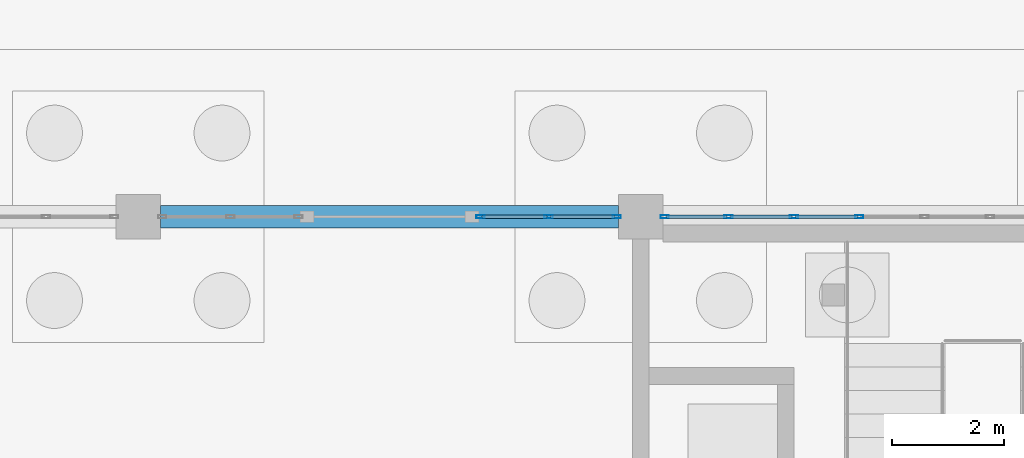
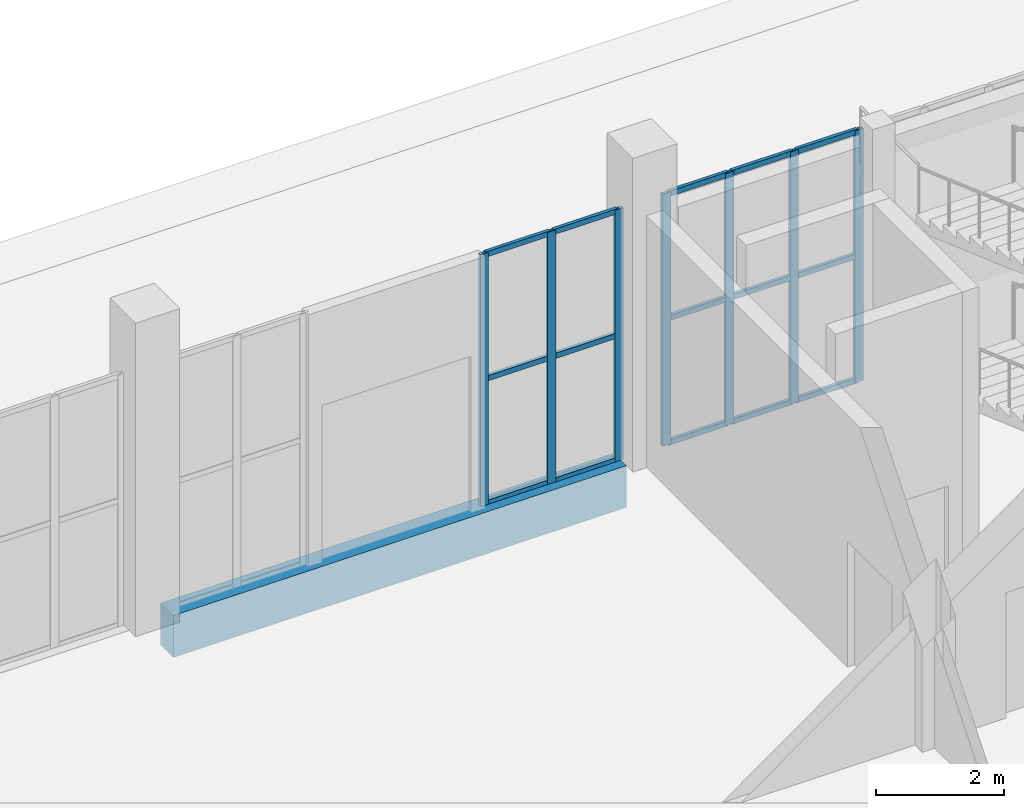
# One storey, part 43 of 198: 22 members, 1 beam, 2 elements without a shape of their own.
"""IFC4 building model written with IfcOpenShell, lengths in metres."""

import ifcopenshell
import ifcopenshell.guid

model = None  # the IFC model being written
_history = None  # IfcOwnerHistory: only IFC2X3 demands one
_inside = {}  # id of a spatial element -> (the spatial element, [elements in it])
_under = {}  # id of a project, library or spatial element -> (it, [spatial elements below it])
_declared = {}  # id of a project -> (the project, [libraries it declares])
_typed = {}  # id of a type object -> (the type object, [elements of that type])
_made_of = {}  # id of a material, layer set ... -> (it, [elements and type objects made of it])


def new_model(schema):
    """Start an empty IFC model of exactly this schema.

    Asked for "IFC4X3", IfcOpenShell would pick the latest addendum, in which some entities
    have other attributes; the version numbers below select the first issue.
    IFC2X3 requires an IfcOwnerHistory on every rooted entity: one is made here for all.
    """
    global model, _history
    if schema == "IFC4X3":
        model = ifcopenshell.file(schema_version=(4, 3, 0, 0))
    else:
        model = ifcopenshell.file(schema=schema)
    _inside.clear()
    _under.clear()
    _declared.clear()
    _typed.clear()
    _made_of.clear()
    _history = None
    if model.schema == "IFC2X3":
        org = make("IfcOrganization", Name="unknown")
        user = make(
            "IfcPersonAndOrganization",
            ThePerson=make("IfcPerson", FamilyName="unknown"),
            TheOrganization=org,
        )
        app = make(
            "IfcApplication",
            ApplicationDeveloper=org,
            Version="unknown",
            ApplicationFullName="unknown",
            ApplicationIdentifier="unknown",
        )
        _history = make(
            "IfcOwnerHistory",
            OwningUser=user,
            OwningApplication=app,
            ChangeAction="ADDED",
            CreationDate=0,
        )
    return model


def make(cls, **values):
    """One entity of the class cls with the attributes given. An attribute that is None is left unset."""
    return model.create_entity(
        cls, **{name: value for name, value in values.items() if value is not None}
    )


def rooted(cls, **values):
    """An entity with a GlobalId (a new one), such as an element, a storey or a relation."""
    return make(cls, GlobalId=ifcopenshell.guid.new(), OwnerHistory=_history, **values)


def si_unit(unit_type, name, prefix=None):
    """IfcSIUnit, for example si_unit("LENGTHUNIT", "METRE", prefix="MILLI")."""
    return make("IfcSIUnit", UnitType=unit_type, Prefix=prefix, Name=name)


def assignment(units):
    """IfcUnitAssignment: the units of a project."""
    return None if units is None else make("IfcUnitAssignment", Units=units)


def point(xyz):
    """IfcCartesianPoint."""
    return None if xyz is None else make("IfcCartesianPoint", Coordinates=xyz)


def direction(xyz):
    """IfcDirection."""
    return None if xyz is None else make("IfcDirection", DirectionRatios=xyz)


def frame(location, z_axis=None, x_axis=None):
    """IfcAxis2Placement3D, a coordinate frame: its origin and axes. An axis left out is left unset."""
    return make(
        "IfcAxis2Placement3D",
        Location=point(location),
        Axis=direction(z_axis),
        RefDirection=direction(x_axis),
    )


def frame_2d(location, x_axis=None):
    """IfcAxis2Placement2D, a coordinate frame in the plane: its origin and x axis."""
    return make(
        "IfcAxis2Placement2D", Location=point(location), RefDirection=direction(x_axis)
    )


def origin():
    """The frame at (0, 0, 0) with its axes left unset."""
    return frame((0.0, 0.0, 0.0))


def origin_2d():
    """The frame at (0, 0) in the plane with its x axis left unset."""
    return frame_2d((0.0, 0.0))


def place(relative_to, where):
    """IfcLocalPlacement: puts the frame where relative to a parent placement (None: the world)."""
    return make(
        "IfcLocalPlacement", PlacementRelTo=relative_to, RelativePlacement=where
    )


def context(
    kind, dimensions, precision=None, world=None, true_north=None, identifier=None
):
    """IfcGeometricRepresentationContext, for example the 3D "Model" context."""
    return make(
        "IfcGeometricRepresentationContext",
        ContextIdentifier=identifier,
        ContextType=kind,
        CoordinateSpaceDimension=dimensions,
        Precision=precision,
        WorldCoordinateSystem=world,
        TrueNorth=true_north,
    )


def subcontext(parent, identifier, kind, view, scale=None):
    """IfcGeometricRepresentationSubContext, for example "Body" below "Model"."""
    return make(
        "IfcGeometricRepresentationSubContext",
        ContextIdentifier=identifier,
        ContextType=kind,
        ParentContext=parent,
        TargetScale=scale,
        TargetView=view,
    )


def project(units=None, contexts=None):
    """IfcProject with its units and contexts."""
    return rooted(
        "IfcProject",
        Name="project",
        RepresentationContexts=contexts,
        UnitsInContext=assignment(units),
    )


def spatial(cls, under=None, at=None, **own):
    """A site, building, storey or space (cls), placed at a placement, below another one or the project."""
    s = rooted(cls, ObjectPlacement=at, **own)
    if under is not None:
        _under.setdefault(under.id(), (under, []))[1].append(s)
    return s


def profile(cls, at=None, kind="AREA", **sizes):
    """A parametric profile (cls). Its sizes go by their IFC names, for example OverallWidth=200.0."""
    return make(cls, ProfileType=kind, Position=at, **sizes)


def rectangle(**sizes):
    """IfcRectangleProfileDef."""
    return profile("IfcRectangleProfileDef", **sizes)


def hollow_rectangle(**sizes):
    """IfcRectangleHollowProfileDef."""
    return profile("IfcRectangleHollowProfileDef", **sizes)


def extrude(swept, where, along, depth):
    """IfcExtrudedAreaSolid: the profile swept, set in the frame where, extruded along a direction by depth."""
    return make(
        "IfcExtrudedAreaSolid",
        SweptArea=swept,
        Position=where,
        ExtrudedDirection=direction(along),
        Depth=depth,
    )


def shape(context_of_items, identifier, shape_type, items):
    """IfcShapeRepresentation: the items that make up one representation, for example the "Body"."""
    return make(
        "IfcShapeRepresentation",
        ContextOfItems=context_of_items,
        RepresentationIdentifier=identifier,
        RepresentationType=shape_type,
        Items=items,
    )


def material(Name=None, Category=None):
    """IfcMaterial."""
    return make("IfcMaterial", Name=Name, Category=Category)


def layer(
    of_material, thickness, ventilated=None, Name=None, Category=None, Priority=None
):
    """IfcMaterialLayer: one layer of a wall or slab, of a material (None: an air gap)."""
    return make(
        "IfcMaterialLayer",
        Material=of_material,
        LayerThickness=thickness,
        IsVentilated=ventilated,
        Name=Name,
        Category=Category,
        Priority=Priority,
    )


def layer_set(layers, Name=None):
    """IfcMaterialLayerSet."""
    return make("IfcMaterialLayerSet", MaterialLayers=layers, LayerSetName=Name)


def material_profile(
    of_material, cross_section, Name=None, Category=None, Priority=None
):
    """IfcMaterialProfile: a cross section and its material."""
    return make(
        "IfcMaterialProfile",
        Name=Name,
        Material=of_material,
        Profile=cross_section,
        Priority=Priority,
        Category=Category,
    )


def profile_set(profiles, Name=None, composite=None):
    """IfcMaterialProfileSet."""
    return make(
        "IfcMaterialProfileSet",
        Name=Name,
        MaterialProfiles=profiles,
        CompositeProfile=composite,
    )


def made_of(thing, what):
    """Note that an element or type object is made of a material, layer set ...; save() writes the relation."""
    if what is not None:
        _made_of.setdefault(what.id(), (what, []))[1].append(thing)
    return thing


def type_object(cls, material=None, **own):
    """A type object (cls), such as IfcWallType, which elements share."""
    return made_of(rooted(cls, **own), material)


def element(
    cls,
    number,
    at=None,
    inside=None,
    cuts=None,
    type_object=None,
    material=None,
    context=None,
    identifier="Body",
    shape_type=None,
    held_by="IfcProductDefinitionShape",
    body=None,
    shapes=None,
    **own,
):
    """One element of the class cls, such as IfcWall. Its Tag is "e" and its number.

    at: its placement. inside: the storey or other place that contains it. cuts: it is an
    opening in that element (IfcRelVoidsElement). A single representation is given by context,
    identifier, shape_type and body (its items); several are given by shapes. held_by: the class
    of the entity that holds the representations. save() writes the other relations.
    """
    e = rooted(cls, Tag="e%d" % number, ObjectPlacement=at, **own)
    if body is not None:
        shapes = [shape(context, identifier, shape_type, body)]
    if shapes is not None:
        e.Representation = make(held_by, Representations=shapes)
    if inside is not None:
        _inside.setdefault(inside.id(), (inside, []))[1].append(e)
    if cuts is not None:
        rooted(
            "IfcRelVoidsElement", RelatingBuildingElement=cuts, RelatedOpeningElement=e
        )
    if type_object is not None:
        _typed.setdefault(type_object.id(), (type_object, []))[1].append(e)
    return made_of(e, material)


def aggregate(whole, parts):
    """IfcRelAggregates: a whole, such as a stair, and the parts it consists of."""
    return rooted("IfcRelAggregates", RelatingObject=whole, RelatedObjects=parts)


def save(model, path):
    """Write the relations noted so far, then the file.

    IfcRelAggregates (storeys below a building ...), IfcRelContainedInSpatialStructure (elements
    in a storey), IfcRelDefinesByType, IfcRelAssociatesMaterial and IfcRelDeclares: one each for
    every whole, place, type object, material and project.
    """
    for whole, parts in _under.values():
        aggregate(whole, parts)
    for where, things in _inside.values():
        rooted(
            "IfcRelContainedInSpatialStructure",
            RelatedElements=things,
            RelatingStructure=where,
        )
    for kind, things in _typed.values():
        rooted("IfcRelDefinesByType", RelatedObjects=things, RelatingType=kind)
    for what, things in _made_of.values():
        rooted("IfcRelAssociatesMaterial", RelatedObjects=things, RelatingMaterial=what)
    for by, libraries in _declared.values():
        rooted("IfcRelDeclares", RelatingContext=by, RelatedDefinitions=libraries)
    model.write(path)


model = new_model("IFC4")

# Units and contexts
model_context = context("Model", 3, precision=1e-05, world=origin(), true_north=direction((0.0, 1.0)))
body_context = subcontext(model_context, "Body", "Model", "MODEL_VIEW")
ifc_project = project(units=[si_unit("LENGTHUNIT", "METRE"), si_unit("AREAUNIT", "SQUARE_METRE"), si_unit("VOLUMEUNIT", "CUBIC_METRE"), si_unit("PLANEANGLEUNIT", "RADIAN"), si_unit("MASSUNIT", "GRAM", prefix="KILO")], contexts=[model_context])

# Site, building, storey
site_placement = place(None, origin())
site = spatial("IfcSite", under=ifc_project, at=site_placement, CompositionType="ELEMENT")
building_placement = place(site_placement, origin())
building = spatial("IfcBuilding", under=site, at=building_placement, Name="Opaline Strait Convention Centre", CompositionType="ELEMENT")
storey_placement = place(building_placement, origin())
storey = spatial("IfcBuildingStorey", under=building, at=storey_placement, Name="L00", CompositionType="ELEMENT", Elevation=0.0)

# Curtain wall, members
ifc_material_1 = material(Name="Aluminium framed double glazing", Category="aluminium")
ifc_layer = layer(ifc_material_1, 0.199951171875)
ifc_layer_set = layer_set([ifc_layer], Name="Aluminium framed double glazing")
curtain_wall_type = type_object("IfcCurtainWallType", Name="Curtain wall 1250", PredefinedType="NOTDEFINED", material=ifc_layer_set)
curtain_wall_1_placement = place(storey_placement, origin())
curtain_wall_1 = element("IfcCurtainWall", 1, at=curtain_wall_1_placement, inside=storey, type_object=curtain_wall_type, Name="Curtain wall N-54b-L00", PredefinedType="NOTDEFINED")
ifc_material_2 = material(Name="Aluminium alloy 6063", Category="aluminium")
ifc_material_profile_1 = material_profile(ifc_material_2, hollow_rectangle(XDim=0.06005859375, YDim=0.14990234375, WallThickness=0.00390625, at=origin_2d()), Name="MULLION 60x150x4")
ifc_profile_set_1 = profile_set([ifc_material_profile_1], Name="Aluminium alloy 6063")
member_type_1 = type_object("IfcMemberType", Name="Curtain wall mullion 60 x 150", PredefinedType="MULLION", material=ifc_profile_set_1)
member_1_placement = place(storey_placement, frame((60.130126953125, 180.0, 0.0), z_axis=(0.0, 0.0, 1.0), x_axis=(0.0, 1.0, 0.0)))
member_1 = element("IfcMember", 2, at=member_1_placement, type_object=member_type_1, Name="PCW mullion 1", PredefinedType="MULLION", context=body_context, shape_type="SweptSolid", body=[
    extrude(hollow_rectangle(XDim=0.06005859375, YDim=0.14990234375, WallThickness=0.00390625, at=origin_2d()), origin(), (0.0, 0.0, 1.0), 4.820068359375),
])
member_2_placement = place(storey_placement, frame((61.35009765625, 180.0, 0.0), z_axis=(0.0, 0.0, 1.0), x_axis=(0.0, 1.0, 0.0)))
member_2 = element("IfcMember", 3, at=member_2_placement, type_object=member_type_1, Name="PCW mullion 2", PredefinedType="MULLION", context=body_context, shape_type="SweptSolid", body=[
    extrude(hollow_rectangle(XDim=0.06005859375, YDim=0.14990234375, WallThickness=0.00390625, at=origin_2d()), origin(), (0.0, 0.0, 1.0), 4.820068359375),
])
member_3_placement = place(storey_placement, frame((62.570068359375, 180.0, 0.0), z_axis=(0.0, 0.0, 1.0), x_axis=(0.0, 1.0, 0.0)))
member_3 = element("IfcMember", 4, at=member_3_placement, type_object=member_type_1, Name="PCW mullion 3", PredefinedType="MULLION", context=body_context, shape_type="SweptSolid", body=[
    extrude(hollow_rectangle(XDim=0.06005859375, YDim=0.14990234375, WallThickness=0.00390625, at=origin_2d()), origin(), (0.0, 0.0, 1.0), 4.820068359375),
])

curtain_wall_2_placement = place(storey_placement, origin())
curtain_wall_2 = element("IfcCurtainWall", 5, at=curtain_wall_2_placement, inside=storey, type_object=curtain_wall_type, Name="Curtain wall N-63-L00", PredefinedType="NOTDEFINED")
member_4_placement = place(storey_placement, frame((63.429931640625, 180.0, 0.0), z_axis=(0.0, 0.0, 1.0), x_axis=(0.0, 1.0, 0.0)))
member_4 = element("IfcMember", 6, at=member_4_placement, type_object=member_type_1, Name="PCW mullion 1", PredefinedType="MULLION", context=body_context, shape_type="SweptSolid", body=[
    extrude(hollow_rectangle(XDim=0.06005859375, YDim=0.14990234375, WallThickness=0.00390625, at=origin_2d()), origin(), (0.0, 0.0, 1.0), 4.820068359375),
])
member_5_placement = place(storey_placement, frame((64.5712890625, 180.0, 0.0), z_axis=(0.0, 0.0, 1.0), x_axis=(0.0, 1.0, 0.0)))
member_5 = element("IfcMember", 7, at=member_5_placement, type_object=member_type_1, Name="PCW mullion 2", PredefinedType="MULLION", context=body_context, shape_type="SweptSolid", body=[
    extrude(hollow_rectangle(XDim=0.06005859375, YDim=0.14990234375, WallThickness=0.00390625, at=origin_2d()), origin(), (0.0, 0.0, 1.0), 4.820068359375),
])
member_6_placement = place(storey_placement, frame((65.742919921875, 180.0, 0.0), z_axis=(0.0, 0.0, 1.0), x_axis=(0.0, 1.0, 0.0)))
member_6 = element("IfcMember", 8, at=member_6_placement, type_object=member_type_1, Name="PCW mullion 3", PredefinedType="MULLION", context=body_context, shape_type="SweptSolid", body=[
    extrude(hollow_rectangle(XDim=0.06005859375, YDim=0.14990234375, WallThickness=0.00390625, at=origin_2d()), origin(), (0.0, 0.0, 1.0), 4.820068359375),
])
member_7_placement = place(storey_placement, frame((66.914306640625, 180.0, 0.0), z_axis=(0.0, 0.0, 1.0), x_axis=(0.0, 1.0, 0.0)))
member_7 = element("IfcMember", 9, at=member_7_placement, type_object=member_type_1, Name="PCW mullion 4", PredefinedType="MULLION", context=body_context, shape_type="SweptSolid", body=[
    extrude(hollow_rectangle(XDim=0.06005859375, YDim=0.14990234375, WallThickness=0.00390625, at=origin_2d()), origin(), (0.0, 0.0, 1.0), 4.820068359375),
])

# Member
ifc_material_profile_2 = material_profile(ifc_material_2, hollow_rectangle(XDim=0.06005859375, YDim=0.10009765625, WallThickness=0.0029296875, at=origin_2d()), Name="TRANSOM 60x100x3")
ifc_profile_set_2 = profile_set([ifc_material_profile_2], Name="Aluminium alloy 6063")
member_type_2 = type_object("IfcMemberType", Name="Curtain wall transom 60 x 100", PredefinedType="USERDEFINED", material=ifc_profile_set_2)
member_8_placement = place(storey_placement, frame((60.16015625, 180.0, 0.030029296875), z_axis=(1.0, 0.0, 0.0), x_axis=(0.0, 1.0, 0.0)))
member_8 = element("IfcMember", 10, at=member_8_placement, type_object=member_type_2, Name="PCW transom 1.1", ObjectType="TRANSOM", PredefinedType="USERDEFINED", context=body_context, shape_type="SweptSolid", body=[
    extrude(hollow_rectangle(XDim=0.06005859375, YDim=0.10009765625, WallThickness=0.0029296875, at=origin_2d()), origin(), (0.0, 0.0, 1.0), 1.159912109375),
])

member_9_placement = place(storey_placement, frame((60.16015625, 180.0, 2.409912109375), z_axis=(1.0, 0.0, 0.0), x_axis=(0.0, 1.0, 0.0)))
member_9 = element("IfcMember", 11, at=member_9_placement, type_object=member_type_2, Name="PCW transom 1.2", ObjectType="TRANSOM", PredefinedType="USERDEFINED", context=body_context, shape_type="SweptSolid", body=[
    extrude(hollow_rectangle(XDim=0.06005859375, YDim=0.10009765625, WallThickness=0.0029296875, at=origin_2d()), origin(), (0.0, 0.0, 1.0), 1.159912109375),
])

member_10_placement = place(storey_placement, frame((60.16015625, 180.0, 4.7900390625), z_axis=(1.0, 0.0, 0.0), x_axis=(0.0, 1.0, 0.0)))
member_10 = element("IfcMember", 12, at=member_10_placement, type_object=member_type_2, Name="PCW transom 1.3", ObjectType="TRANSOM", PredefinedType="USERDEFINED", context=body_context, shape_type="SweptSolid", body=[
    extrude(hollow_rectangle(XDim=0.06005859375, YDim=0.10009765625, WallThickness=0.0029296875, at=origin_2d()), origin(), (0.0, 0.0, 1.0), 1.159912109375),
])

member_11_placement = place(storey_placement, frame((61.380126953125, 180.0, 0.030029296875), z_axis=(1.0, 0.0, 0.0), x_axis=(0.0, 1.0, 0.0)))
member_11 = element("IfcMember", 13, at=member_11_placement, type_object=member_type_2, Name="PCW transom 2.1", ObjectType="TRANSOM", PredefinedType="USERDEFINED", context=body_context, shape_type="SweptSolid", body=[
    extrude(hollow_rectangle(XDim=0.06005859375, YDim=0.10009765625, WallThickness=0.0029296875, at=origin_2d()), origin(), (0.0, 0.0, 1.0), 1.159912109375),
])

member_12_placement = place(storey_placement, frame((61.380126953125, 180.0, 2.409912109375), z_axis=(1.0, 0.0, 0.0), x_axis=(0.0, 1.0, 0.0)))
member_12 = element("IfcMember", 14, at=member_12_placement, type_object=member_type_2, Name="PCW transom 2.2", ObjectType="TRANSOM", PredefinedType="USERDEFINED", context=body_context, shape_type="SweptSolid", body=[
    extrude(hollow_rectangle(XDim=0.06005859375, YDim=0.10009765625, WallThickness=0.0029296875, at=origin_2d()), origin(), (0.0, 0.0, 1.0), 1.159912109375),
])

member_13_placement = place(storey_placement, frame((61.380126953125, 180.0, 4.7900390625), z_axis=(1.0, 0.0, 0.0), x_axis=(0.0, 1.0, 0.0)))
member_13 = element("IfcMember", 15, at=member_13_placement, type_object=member_type_2, Name="PCW transom 2.3", ObjectType="TRANSOM", PredefinedType="USERDEFINED", context=body_context, shape_type="SweptSolid", body=[
    extrude(hollow_rectangle(XDim=0.06005859375, YDim=0.10009765625, WallThickness=0.0029296875, at=origin_2d()), origin(), (0.0, 0.0, 1.0), 1.159912109375),
])

aggregate(curtain_wall_1, [member_1, member_2, member_3, member_8, member_9, member_10, member_11, member_12, member_13])

member_14_placement = place(storey_placement, frame((63.4599609375, 180.0, 0.030029296875), z_axis=(1.0, 0.0, 0.0), x_axis=(0.0, 1.0, 0.0)))
member_14 = element("IfcMember", 16, at=member_14_placement, type_object=member_type_2, Name="PCW transom 1.1", ObjectType="TRANSOM", PredefinedType="USERDEFINED", context=body_context, shape_type="SweptSolid", body=[
    extrude(hollow_rectangle(XDim=0.06005859375, YDim=0.10009765625, WallThickness=0.0029296875, at=origin_2d()), origin(), (0.0, 0.0, 1.0), 1.081298828125),
])

member_15_placement = place(storey_placement, frame((63.4599609375, 180.0, 2.409912109375), z_axis=(1.0, 0.0, 0.0), x_axis=(0.0, 1.0, 0.0)))
member_15 = element("IfcMember", 17, at=member_15_placement, type_object=member_type_2, Name="PCW transom 1.2", ObjectType="TRANSOM", PredefinedType="USERDEFINED", context=body_context, shape_type="SweptSolid", body=[
    extrude(hollow_rectangle(XDim=0.06005859375, YDim=0.10009765625, WallThickness=0.0029296875, at=origin_2d()), origin(), (0.0, 0.0, 1.0), 1.081298828125),
])

member_16_placement = place(storey_placement, frame((63.4599609375, 180.0, 4.7900390625), z_axis=(1.0, 0.0, 0.0), x_axis=(0.0, 1.0, 0.0)))
member_16 = element("IfcMember", 18, at=member_16_placement, type_object=member_type_2, Name="PCW transom 1.3", ObjectType="TRANSOM", PredefinedType="USERDEFINED", context=body_context, shape_type="SweptSolid", body=[
    extrude(hollow_rectangle(XDim=0.06005859375, YDim=0.10009765625, WallThickness=0.0029296875, at=origin_2d()), origin(), (0.0, 0.0, 1.0), 1.081298828125),
])

member_17_placement = place(storey_placement, frame((64.601318359375, 180.0, 0.030029296875), z_axis=(1.0, 0.0, 0.0), x_axis=(0.0, 1.0, 0.0)))
member_17 = element("IfcMember", 19, at=member_17_placement, type_object=member_type_2, Name="PCW transom 2.1", ObjectType="TRANSOM", PredefinedType="USERDEFINED", context=body_context, shape_type="SweptSolid", body=[
    extrude(hollow_rectangle(XDim=0.06005859375, YDim=0.10009765625, WallThickness=0.0029296875, at=origin_2d()), origin(), (0.0, 0.0, 1.0), 1.111572265625),
])

member_18_placement = place(storey_placement, frame((64.601318359375, 180.0, 2.409912109375), z_axis=(1.0, 0.0, 0.0), x_axis=(0.0, 1.0, 0.0)))
member_18 = element("IfcMember", 20, at=member_18_placement, type_object=member_type_2, Name="PCW transom 2.2", ObjectType="TRANSOM", PredefinedType="USERDEFINED", context=body_context, shape_type="SweptSolid", body=[
    extrude(hollow_rectangle(XDim=0.06005859375, YDim=0.10009765625, WallThickness=0.0029296875, at=origin_2d()), origin(), (0.0, 0.0, 1.0), 1.111572265625),
])

member_19_placement = place(storey_placement, frame((64.601318359375, 180.0, 4.7900390625), z_axis=(1.0, 0.0, 0.0), x_axis=(0.0, 1.0, 0.0)))
member_19 = element("IfcMember", 21, at=member_19_placement, type_object=member_type_2, Name="PCW transom 2.3", ObjectType="TRANSOM", PredefinedType="USERDEFINED", context=body_context, shape_type="SweptSolid", body=[
    extrude(hollow_rectangle(XDim=0.06005859375, YDim=0.10009765625, WallThickness=0.0029296875, at=origin_2d()), origin(), (0.0, 0.0, 1.0), 1.111572265625),
])

member_20_placement = place(storey_placement, frame((65.772705078125, 180.0, 0.030029296875), z_axis=(1.0, 0.0, 0.0), x_axis=(0.0, 1.0, 0.0)))
member_20 = element("IfcMember", 22, at=member_20_placement, type_object=member_type_2, Name="PCW transom 3.1", ObjectType="TRANSOM", PredefinedType="USERDEFINED", context=body_context, shape_type="SweptSolid", body=[
    extrude(hollow_rectangle(XDim=0.06005859375, YDim=0.10009765625, WallThickness=0.0029296875, at=origin_2d()), origin(), (0.0, 0.0, 1.0), 1.111572265625),
])

member_21_placement = place(storey_placement, frame((65.772705078125, 180.0, 2.409912109375), z_axis=(1.0, 0.0, 0.0), x_axis=(0.0, 1.0, 0.0)))
member_21 = element("IfcMember", 23, at=member_21_placement, type_object=member_type_2, Name="PCW transom 3.2", ObjectType="TRANSOM", PredefinedType="USERDEFINED", context=body_context, shape_type="SweptSolid", body=[
    extrude(hollow_rectangle(XDim=0.06005859375, YDim=0.10009765625, WallThickness=0.0029296875, at=origin_2d()), origin(), (0.0, 0.0, 1.0), 1.111572265625),
])

member_22_placement = place(storey_placement, frame((65.772705078125, 180.0, 4.7900390625), z_axis=(1.0, 0.0, 0.0), x_axis=(0.0, 1.0, 0.0)))
member_22 = element("IfcMember", 24, at=member_22_placement, type_object=member_type_2, Name="PCW transom 3.3", ObjectType="TRANSOM", PredefinedType="USERDEFINED", context=body_context, shape_type="SweptSolid", body=[
    extrude(hollow_rectangle(XDim=0.06005859375, YDim=0.10009765625, WallThickness=0.0029296875, at=origin_2d()), origin(), (0.0, 0.0, 1.0), 1.111572265625),
])

aggregate(curtain_wall_2, [member_4, member_5, member_6, member_7, member_14, member_15, member_16, member_17, member_18, member_19, member_20, member_21, member_22])

# Beam
ifc_material_3 = material(Name="Concrete C35", Category="concrete")
ifc_material_profile_3 = material_profile(ifc_material_3, rectangle(XDim=0.39990234375, YDim=0.800048828125, at=origin_2d()), Name="RC 400x800")
ifc_profile_set_3 = profile_set([ifc_material_profile_3], Name="Concrete C35")
beam_type = type_object("IfcBeamType", Name="RC ground beam 400x800 C35", PredefinedType="BEAM", material=ifc_profile_set_3)
beam_placement = place(storey_placement, frame((54.39990234375, 180.0, -0.39990234375), z_axis=(1.0, 0.0, 0.0), x_axis=(0.0, 1.0, 0.0)))
element("IfcBeam", 25, at=beam_placement, inside=storey, type_object=beam_type, Name="PGB1 ground beam 7/W-8/W", PredefinedType="BEAM", context=body_context, shape_type="SweptSolid", body=[
    extrude(rectangle(XDim=0.39990234375, YDim=0.800048828125, at=origin_2d()), origin(), (0.0, 0.0, 1.0), 8.2001953125),
])

save(model, "model.ifc")
